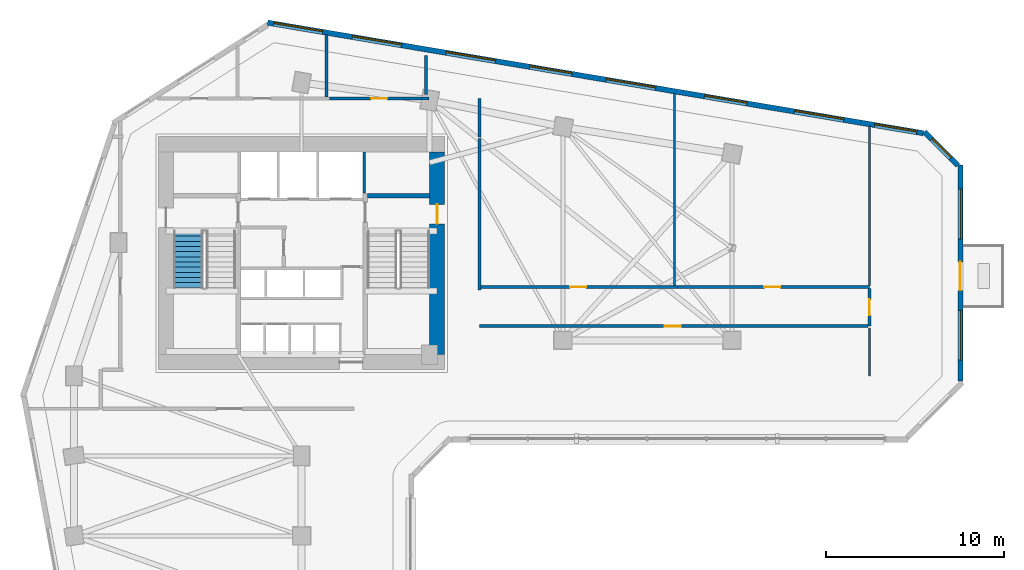
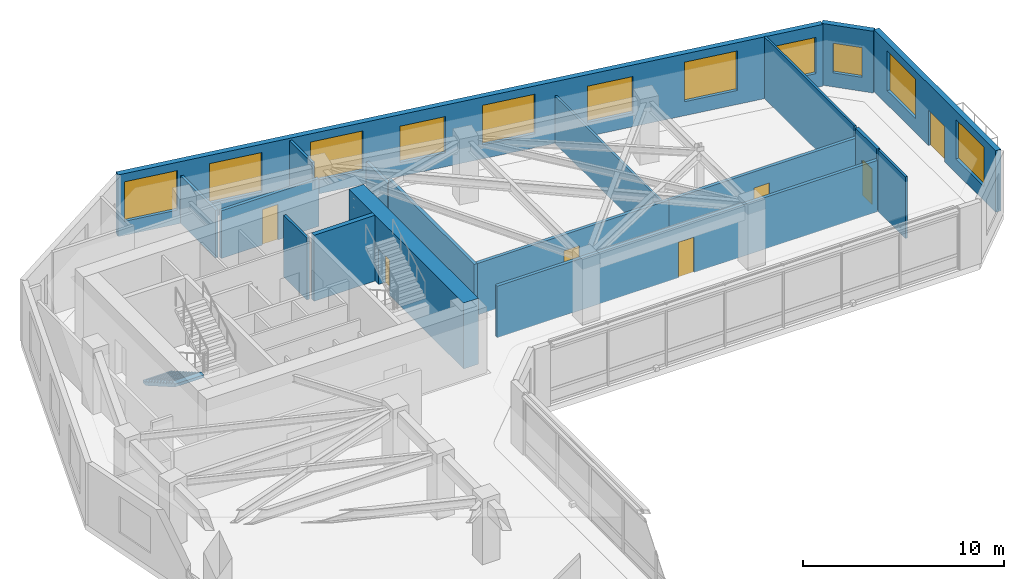
# One storey, part 7 of 11: 18 walls, 11 windows, 7 doors, 1 stair flight, 18 openings, 1 element without a shape of its own.
"""IFC4 building model written with IfcOpenShell, lengths in metres."""

from ifc_helpers import new_model, si_unit, direction, frame, frame_2d, origin, place, context, subcontext, project, spatial, polyline, rectangle, outline, extrude, source, transform, mapped, material, layer, layer_set, type_object, element, fill, aggregate, save


model = new_model("IFC4")

# Units and contexts
model_context = context("Model", 3, precision=1e-05, world=origin(), true_north=direction((0.0, 1.0)))
body_context = subcontext(model_context, "Body", "Model", "MODEL_VIEW")
ifc_project = project(units=[si_unit("LENGTHUNIT", "METRE"), si_unit("AREAUNIT", "SQUARE_METRE"), si_unit("VOLUMEUNIT", "CUBIC_METRE"), si_unit("PLANEANGLEUNIT", "RADIAN"), si_unit("MASSUNIT", "GRAM", prefix="KILO")], contexts=[model_context])

# Site, building, storey
site_placement = place(None, origin())
site = spatial("IfcSite", under=ifc_project, at=site_placement, CompositionType="ELEMENT")
building_placement = place(site_placement, origin())
building = spatial("IfcBuilding", under=site, at=building_placement, Name="Calvemar Wedge Station Tower", CompositionType="ELEMENT")
storey_placement = place(building_placement, frame((0.0, 0.0, 27.0)))
storey = spatial("IfcBuildingStorey", under=building, at=storey_placement, Name="L06", CompositionType="ELEMENT", Elevation=27.0)

# Wall
ifc_material_1 = material(Name="Concrete C50", Category="concrete")
ifc_layer_1 = layer(ifc_material_1, 0.260009765625)
ifc_layer_set_1 = layer_set([ifc_layer_1], Name="Concrete C50")
wall_type_1 = type_object("IfcWallType", Name="SW-CORE-260", PredefinedType="SHEAR", material=ifc_layer_set_1)
wall_1_placement = place(storey_placement, frame((27.5, 43.1298828125, 0.0), z_axis=(0.0, 0.0, 1.0), x_axis=(1.0, 0.0, 0.0)))
element("IfcWall", 1, at=wall_1_placement, inside=storey, type_object=wall_type_1, Name="Storey L06 Core Shear Wall STC2-N", PredefinedType="SHEAR", context=body_context, shape_type="SweptSolid", body=[
    extrude(rectangle(XDim=3.5, YDim=0.260009765625, at=frame_2d((1.75, 0.0))), origin(), (0.0, 0.0, 1.0), 4.0),
])

# Wall, opening, door
ifc_material_2 = material(Name="Concrete C80", Category="concrete")
ifc_layer_2 = layer(ifc_material_2, 0.85009765625)
ifc_layer_set_2 = layer_set([ifc_layer_2], Name="Concrete C80")
wall_type_2 = type_object("IfcWallType", Name="SW-CORE-850", PredefinedType="SHEAR", material=ifc_layer_set_2)
wall_2_placement = place(storey_placement, frame((31.425048828125, 34.199951171875, 0.0), z_axis=(0.0, 0.0, 1.0), x_axis=(0.0, 1.0, 0.0)))
wall_2 = element("IfcWall", 2, at=wall_2_placement, inside=storey, type_object=wall_type_2, Name="Storey L06 Core Shear Wall E", PredefinedType="SHEAR", context=body_context, shape_type="SweptSolid", body=[
    extrude(rectangle(XDim=11.400146484375, YDim=0.85009765625, at=frame_2d((5.7001953125, 0.0))), origin(), (0.0, 0.0, 1.0), 4.0),
])
shared_shape_1 = source(origin(), body_context, "Body", "SweptSolid", [
    extrude(rectangle(XDim=1.10009765625, YDim=2.14990234375, at=frame_2d((0.550048828125, 1.074951171875))), frame((0.0, 0.43505859375, 0.0), z_axis=(0.0, -1.0, 0.0), x_axis=(1.0, 0.0, 0.0)), (0.0, 0.0, 1.0), 0.8701171875),
])
opening_1_placement = place(wall_2_placement, frame((7.35009765625, 0.0, 0.0)))
opening_1 = element("IfcOpeningElement", 3, at=opening_1_placement, cuts=wall_2, Name="Opening FD-90", PredefinedType="OPENING", context=body_context, shape_type="MappedRepresentation", body=[
    mapped(shared_shape_1, transform((0.0, 0.0, 0.0), scale=1.0)),
])
ifc_material_3 = material(Name="Galvanized fire-rated steel door leaf P-90", Category="steel")
door_type_1 = type_object("IfcDoorType", Name="DR-FD90-1100", OperationType="NOTDEFINED", PredefinedType="DOOR", material=ifc_material_3)
shared_shape_2 = source(origin(), body_context, "Body", "SweptSolid", [
    extrude(rectangle(XDim=1.10009765625, YDim=2.14990234375, at=frame_2d((0.550048828125, 1.074951171875))), frame((0.0, 0.02490234375, 0.0), z_axis=(0.0, -1.0, 0.0), x_axis=(1.0, 0.0, 0.0)), (0.0, 0.0, 1.0), 0.050048828125),
])
door_1_placement = place(opening_1_placement, origin())
door_1 = element("IfcDoor", 4, at=door_1_placement, inside=storey, type_object=door_type_1, Name="L06 East Corridor to Exit Stair ST-C2 Door", OperationType="SINGLE_SWING_RIGHT", OverallHeight=2.14990234375, OverallWidth=1.10009765625, PredefinedType="DOOR", context=body_context, shape_type="MappedRepresentation", body=[
    mapped(shared_shape_2, transform((0.0, 0.0, 0.0), scale=1.0)),
])
fill(opening_1, door_1)

ifc_material_4 = material(Name="Double-stud fire-rated corridor partition")
ifc_layer_3 = layer(ifc_material_4, 0.179931640625)
ifc_layer_set_3 = layer_set([ifc_layer_3], Name="Double-stud fire-rated corridor partition")
wall_type_3 = type_object("IfcWallType", Name="W-CORR-180", PredefinedType="PARTITIONING", material=ifc_layer_set_3)
wall_3_placement = place(storey_placement, frame((25.362060546875, 48.60009765625, 0.0), z_axis=(0.0, 0.0, 1.0), x_axis=(1.0, 0.0, 0.0)))
wall_3 = element("IfcWall", 5, at=wall_3_placement, inside=storey, type_object=wall_type_3, Name="Storey L06 Interior Partition WL-L06-011", PredefinedType="PARTITIONING", context=body_context, shape_type="SweptSolid", body=[
    extrude(rectangle(XDim=5.597900390625, YDim=0.179931640625, at=frame_2d((2.798828125, 0.0))), origin(), (0.0, 0.0, 1.0), 2.89208984375),
])
shared_shape_3 = source(origin(), body_context, "Body", "SweptSolid", [
    extrude(rectangle(XDim=0.89990234375, YDim=2.14990234375, at=frame_2d((0.449951171875, 1.074951171875))), frame((0.0, 0.10009765625, 0.0), z_axis=(0.0, -1.0, 0.0), x_axis=(1.0, 0.0, 0.0)), (0.0, 0.0, 1.0), 0.199951171875),
])
opening_2_placement = place(wall_3_placement, frame((2.34912109375, 0.0, 0.0)))
opening_2 = element("IfcOpeningElement", 6, at=opening_2_placement, cuts=wall_3, Name="Opening D-01", PredefinedType="OPENING", context=body_context, shape_type="MappedRepresentation", body=[
    mapped(shared_shape_3, transform((0.0, 0.0, 0.0), scale=1.0)),
])
ifc_material_5 = material(Name="Architectural hardwood acoustic swing door", Category="wood")
door_type_2 = type_object("IfcDoorType", Name="DR-INT-900", OperationType="NOTDEFINED", PredefinedType="DOOR", material=ifc_material_5)
shared_shape_4 = source(origin(), body_context, "Body", "SweptSolid", [
    extrude(rectangle(XDim=0.89990234375, YDim=2.14990234375, at=frame_2d((0.449951171875, 1.074951171875))), frame((0.0, 0.02490234375, 0.0), z_axis=(0.0, -1.0, 0.0), x_axis=(1.0, 0.0, 0.0)), (0.0, 0.0, 1.0), 0.050048828125),
])
door_2_placement = place(opening_2_placement, origin())
door_2 = element("IfcDoor", 7, at=door_2_placement, inside=storey, type_object=door_type_2, Name="L06 Female Toilet Door", OperationType="SINGLE_SWING_RIGHT", OverallHeight=2.14990234375, OverallWidth=0.89990234375, PredefinedType="DOOR", context=body_context, shape_type="MappedRepresentation", body=[
    mapped(shared_shape_4, transform((0.0, 0.0, 0.0), scale=1.0)),
])
fill(opening_2, door_2)

# Walls
wall_4_placement = place(storey_placement, frame((33.800048828125, 48.60009765625, 0.0), z_axis=(0.0, 0.0, 1.0), x_axis=(0.0, -1.0, 0.0)))
element("IfcWall", 8, at=wall_4_placement, inside=storey, type_object=wall_type_3, Name="Storey L06 Interior Partition WL-L06-012", PredefinedType="PARTITIONING", context=body_context, shape_type="SweptSolid", body=[
    extrude(rectangle(XDim=2.150146484375, YDim=0.179931640625, at=frame_2d((1.0751953125, 0.0))), origin(), (0.0, 0.0, 1.0), 2.89208984375),
])
wall_5_placement = place(storey_placement, frame((33.800048828125, 46.35595703125, 0.0), z_axis=(0.0, 0.0, 1.0), x_axis=(0.0, -1.0, 0.0)))
element("IfcWall", 9, at=wall_5_placement, inside=storey, type_object=wall_type_3, Name="Storey L06 Interior Partition WL-L06-013", PredefinedType="PARTITIONING", context=body_context, shape_type="SweptSolid", body=[
    extrude(rectangle(XDim=8.515869140625, YDim=0.179931640625, at=frame_2d((4.2578125, 0.0))), origin(), (0.0, 0.0, 1.0), 3.18798828125),
])

# Wall, opening, door
wall_6_placement = place(storey_placement, frame((33.89404296875, 38.0, 0.0), z_axis=(0.0, 0.0, 1.0), x_axis=(1.0, 0.0, 0.0)))
wall_6 = element("IfcWall", 10, at=wall_6_placement, inside=storey, type_object=wall_type_3, Name="Storey L06 Interior Partition WL-L06-017", PredefinedType="PARTITIONING", context=body_context, shape_type="SweptSolid", body=[
    extrude(rectangle(XDim=11.032958984375, YDim=0.179931640625, at=frame_2d((5.5166015625, 0.0))), origin(), (0.0, 0.0, 1.0), 3.125),
])
opening_3_placement = place(wall_6_placement, frame((5.005859375, 0.0, 0.0)))
opening_3 = element("IfcOpeningElement", 11, at=opening_3_placement, cuts=wall_6, Name="Opening D-01", PredefinedType="OPENING", context=body_context, shape_type="MappedRepresentation", body=[
    mapped(shared_shape_3, transform((0.0, 0.0, 0.0), scale=1.0)),
])
door_3_placement = place(opening_3_placement, origin())
door_3 = element("IfcDoor", 12, at=door_3_placement, inside=storey, type_object=door_type_2, Name="L06 Co-Working Studio Door", OperationType="SINGLE_SWING_LEFT", OverallHeight=2.14990234375, OverallWidth=0.89990234375, PredefinedType="DOOR", context=body_context, shape_type="MappedRepresentation", body=[
    mapped(shared_shape_4, transform((0.0, 0.0, 0.0), scale=1.0)),
])
fill(opening_3, door_3)

wall_7_placement = place(storey_placement, frame((44.928955078125, 38.0, 0.0), z_axis=(0.0, 0.0, 1.0), x_axis=(1.0, 0.0, 0.0)))
wall_7 = element("IfcWall", 13, at=wall_7_placement, inside=storey, type_object=wall_type_3, Name="Storey L06 Interior Partition WL-L06-018", PredefinedType="PARTITIONING", context=body_context, shape_type="SweptSolid", body=[
    extrude(rectangle(XDim=10.80615234375, YDim=0.179931640625, at=frame_2d((5.403076171875, 0.0))), origin(), (0.0, 0.0, 1.0), 3.125),
])
opening_4_placement = place(wall_7_placement, frame((4.892333984375, 0.0, 0.0)))
opening_4 = element("IfcOpeningElement", 14, at=opening_4_placement, cuts=wall_7, Name="Opening D-01", PredefinedType="OPENING", context=body_context, shape_type="MappedRepresentation", body=[
    mapped(shared_shape_3, transform((0.0, 0.0, 0.0), scale=1.0)),
])
door_4_placement = place(opening_4_placement, origin())
door_4 = element("IfcDoor", 15, at=door_4_placement, inside=storey, type_object=door_type_2, Name="L06 Meeting Room Door", OperationType="SINGLE_SWING_RIGHT", OverallHeight=2.14990234375, OverallWidth=0.89990234375, PredefinedType="DOOR", context=body_context, shape_type="MappedRepresentation", body=[
    mapped(shared_shape_4, transform((0.0, 0.0, 0.0), scale=1.0)),
])
fill(opening_4, door_4)

wall_8_placement = place(storey_placement, frame((55.735107421875, 37.906005859375, 0.0), z_axis=(0.0, 0.0, 1.0), x_axis=(0.0, -1.0, 0.0)))
wall_8 = element("IfcWall", 16, at=wall_8_placement, inside=storey, type_object=wall_type_3, Name="Storey L06 Interior Partition WL-L06-019", PredefinedType="PARTITIONING", context=body_context, shape_type="SweptSolid", body=[
    extrude(rectangle(XDim=2.10595703125, YDim=0.179931640625, at=frame_2d((1.052978515625, 0.0))), origin(), (0.0, 0.0, 1.0), 3.75),
])
opening_5_placement = place(wall_8_placement, frame((0.60302734375, 0.0, 0.0)))
opening_5 = element("IfcOpeningElement", 17, at=opening_5_placement, cuts=wall_8, Name="Opening D-01", PredefinedType="OPENING", context=body_context, shape_type="MappedRepresentation", body=[
    mapped(shared_shape_3, transform((0.0, 0.0, 0.0), scale=1.0)),
])
door_5_placement = place(opening_5_placement, origin())
door_5 = element("IfcDoor", 18, at=door_5_placement, inside=storey, type_object=door_type_2, Name="L06 Briefing Lounge Door", OperationType="SINGLE_SWING_LEFT", OverallHeight=2.14990234375, OverallWidth=0.89990234375, PredefinedType="DOOR", context=body_context, shape_type="MappedRepresentation", body=[
    mapped(shared_shape_4, transform((0.0, 0.0, 0.0), scale=1.0)),
])
fill(opening_5, door_5)

wall_9_placement = place(storey_placement, frame((55.64111328125, 35.800048828125, 0.0), z_axis=(0.0, 0.0, 1.0), x_axis=(-1.0, 0.0, 0.0)))
wall_9 = element("IfcWall", 19, at=wall_9_placement, inside=storey, type_object=wall_type_3, Name="Storey L06 Interior Partition WL-L06-020", PredefinedType="PARTITIONING", context=body_context, shape_type="SweptSolid", body=[
    extrude(rectangle(XDim=21.841064453125, YDim=0.179931640625, at=frame_2d((10.92041015625, 0.0))), origin(), (0.0, 0.0, 1.0), 3.125),
])
opening_6_placement = place(wall_9_placement, frame((10.53076171875, 0.0, 0.0)))
opening_6 = element("IfcOpeningElement", 20, at=opening_6_placement, cuts=wall_9, Name="Opening D-01", PredefinedType="OPENING", context=body_context, shape_type="MappedRepresentation", body=[
    mapped(shared_shape_3, transform((0.0, 0.0, 0.0), scale=1.0)),
])
door_6_placement = place(opening_6_placement, origin())
door_6 = element("IfcDoor", 21, at=door_6_placement, inside=storey, type_object=door_type_2, Name="L06 Meeting Room Door", OperationType="SINGLE_SWING_RIGHT", OverallHeight=2.14990234375, OverallWidth=0.89990234375, PredefinedType="DOOR", context=body_context, shape_type="MappedRepresentation", body=[
    mapped(shared_shape_4, transform((0.0, 0.0, 0.0), scale=1.0)),
])
fill(opening_6, door_6)

# Wall, openings, windows, door
ifc_material_6 = material(Name="Precast concrete C45", Category="concrete")
ifc_layer_4 = layer(ifc_material_6, 0.300048828125)
ifc_layer_set_4 = layer_set([ifc_layer_4], Name="Precast concrete C45")
wall_type_4 = type_object("IfcWallType", Name="W-EXT-GFRC-300", PredefinedType="SOLIDWALL", material=ifc_layer_set_4)
wall_10_placement = place(storey_placement, frame((60.85009765625, 32.71728515625, 0.0), z_axis=(0.0, 0.0, 1.0), x_axis=(0.0, 1.0, 0.0)))
wall_10 = element("IfcWall", 22, at=wall_10_placement, inside=storey, type_object=wall_type_4, Name="Storey L06 Bronze GFRC Exterior Wall 8", PredefinedType="SOLIDWALL", context=body_context, shape_type="SweptSolid", body=[
    extrude(rectangle(XDim=12.130615234375, YDim=0.300048828125, at=frame_2d((6.0654296875, 0.0))), origin(), (0.0, 0.0, 1.0), 3.75),
])
shared_shape_5 = source(origin(), body_context, "Body", "SweptSolid", [
    extrude(rectangle(XDim=1.60009765625, YDim=2.14990234375, at=frame_2d((0.800048828125, 1.074951171875))), frame((0.0, 0.16015625, 0.0), z_axis=(0.0, -1.0, 0.0), x_axis=(1.0, 0.0, 0.0)), (0.0, 0.0, 1.0), 0.320068359375),
])
opening_7_placement = place(wall_10_placement, frame((5.093017578125, 0.0, 0.0)))
opening_7 = element("IfcOpeningElement", 23, at=opening_7_placement, cuts=wall_10, Name="Opening DT1", PredefinedType="OPENING", context=body_context, shape_type="MappedRepresentation", body=[
    mapped(shared_shape_5, transform((0.0, 0.0, 0.0), scale=1.0)),
])
shared_shape_6 = source(origin(), body_context, "Body", "SweptSolid", [
    extrude(rectangle(XDim=2.800048828125, YDim=2.39990234375, at=frame_2d((1.39990234375, 1.199951171875))), frame((0.0, 0.16015625, 0.0), z_axis=(0.0, -1.0, 0.0), x_axis=(1.0, 0.0, 0.0)), (0.0, 0.0, 1.0), 0.320068359375),
])
opening_8_placement = place(wall_10_placement, frame((1.1669921875, 0.0, 0.85009765625)))
opening_8 = element("IfcOpeningElement", 24, at=opening_8_placement, cuts=wall_10, Name="Opening W6", PredefinedType="OPENING", context=body_context, shape_type="MappedRepresentation", body=[
    mapped(shared_shape_6, transform((0.0, 0.0, 0.0), scale=1.0)),
])
opening_9_placement = place(wall_10_placement, frame((7.991943359375, 0.0, 0.85009765625)))
opening_9 = element("IfcOpeningElement", 25, at=opening_9_placement, cuts=wall_10, Name="Opening W6", PredefinedType="OPENING", context=body_context, shape_type="MappedRepresentation", body=[
    mapped(shared_shape_6, transform((0.0, 0.0, 0.0), scale=1.0)),
])
ifc_material_7 = material(Name="Low-E laminated insulated glass", Category="glass")
window_type_1 = type_object("IfcWindowType", Name="WIN-EXT-6", PartitioningType="SINGLE_PANEL", PredefinedType="WINDOW", material=ifc_material_7)
shared_shape_7 = source(origin(), body_context, "Body", "SweptSolid", [
    extrude(rectangle(XDim=2.800048828125, YDim=2.39990234375, at=frame_2d((1.39990234375, 1.199951171875))), frame((0.0, -0.014892578125, 0.0), z_axis=(0.0, -1.0, 0.0), x_axis=(1.0, 0.0, 0.0)), (0.0, 0.0, 1.0), 0.06005859375),
])
window_1_placement = place(opening_8_placement, origin())
window_1 = element("IfcWindow", 26, at=window_1_placement, inside=storey, type_object=window_type_1, Name="Storey L06 Recessed Window 8.1", OverallHeight=2.39990234375, OverallWidth=2.800048828125, PartitioningType="SINGLE_PANEL", PredefinedType="WINDOW", context=body_context, shape_type="MappedRepresentation", body=[
    mapped(shared_shape_7, transform((0.0, 0.0, 0.0), scale=1.0)),
])
fill(opening_8, window_1)
window_2_placement = place(opening_9_placement, origin())
window_2 = element("IfcWindow", 27, at=window_2_placement, inside=storey, type_object=window_type_1, Name="Storey L06 Recessed Window 8.2", OverallHeight=2.39990234375, OverallWidth=2.800048828125, PartitioningType="SINGLE_PANEL", PredefinedType="WINDOW", context=body_context, shape_type="MappedRepresentation", body=[
    mapped(shared_shape_7, transform((0.0, 0.0, 0.0), scale=1.0)),
])
fill(opening_9, window_2)
ifc_material_8 = material(Name="Anodised aluminium 6063-T6", Category="aluminium")
door_type_3 = type_object("IfcDoorType", Name="DR-TERR-1600", OperationType="DOUBLE_DOOR_SLIDING", PredefinedType="DOOR", material=ifc_material_8)
shared_shape_8 = source(origin(), body_context, "Body", "SweptSolid", [
    extrude(rectangle(XDim=1.60009765625, YDim=2.14990234375, at=frame_2d((0.800048828125, 1.074951171875))), frame((0.0, 0.02490234375, 0.0), z_axis=(0.0, -1.0, 0.0), x_axis=(1.0, 0.0, 0.0)), (0.0, 0.0, 1.0), 0.050048828125),
])
door_7_placement = place(opening_7_placement, origin())
door_7 = element("IfcDoor", 28, at=door_7_placement, inside=storey, type_object=door_type_3, Name="Storey L06 Spiral Terrace Door", OperationType="DOUBLE_DOOR_SLIDING", OverallHeight=2.14990234375, OverallWidth=1.60009765625, PredefinedType="DOOR", context=body_context, shape_type="MappedRepresentation", body=[
    mapped(shared_shape_8, transform((0.0, 0.0, 0.0), scale=1.0)),
])
fill(opening_7, door_7)

# Wall, opening, window
wall_11_placement = place(storey_placement, frame((60.7119140625, 44.8359375, 0.0), z_axis=(0.0, 0.0, 1.0), x_axis=(-0.707106781187, 0.707106781187, 0.0)))
wall_11 = element("IfcWall", 29, at=wall_11_placement, inside=storey, type_object=wall_type_4, Name="Storey L06 Bronze GFRC Exterior Wall 9", PredefinedType="SOLIDWALL", context=body_context, shape_type="SweptSolid", body=[
    extrude(rectangle(XDim=2.673095703125, YDim=0.300048828125, at=frame_2d((1.33642578125, 0.0))), origin(), (0.0, 0.0, 1.0), 3.75),
])
shared_shape_9 = source(origin(), body_context, "Body", "SweptSolid", [
    extrude(rectangle(XDim=1.5, YDim=1.800048828125, at=frame_2d((0.75, 0.89990234375))), frame((0.0, 0.16015625, 0.0), z_axis=(0.0, -1.0, 0.0), x_axis=(1.0, 0.0, 0.0)), (0.0, 0.0, 1.0), 0.320068359375),
])
opening_10_placement = place(wall_11_placement, frame((0.5869140625, 0.0, 0.85009765625)))
opening_10 = element("IfcOpeningElement", 30, at=opening_10_placement, cuts=wall_11, Name="Opening W3", PredefinedType="OPENING", context=body_context, shape_type="MappedRepresentation", body=[
    mapped(shared_shape_9, transform((0.0, 0.0, 0.0), scale=1.0)),
])
window_type_2 = type_object("IfcWindowType", Name="WIN-EXT-3", PartitioningType="SINGLE_PANEL", PredefinedType="WINDOW", material=ifc_material_7)
shared_shape_10 = source(origin(), body_context, "Body", "SweptSolid", [
    extrude(rectangle(XDim=1.5, YDim=1.800048828125, at=frame_2d((0.75, 0.89990234375))), frame((0.0, -0.014892578125, 0.0), z_axis=(0.0, -1.0, 0.0), x_axis=(1.0, 0.0, 0.0)), (0.0, 0.0, 1.0), 0.06005859375),
])
window_3_placement = place(opening_10_placement, origin())
window_3 = element("IfcWindow", 31, at=window_3_placement, inside=storey, type_object=window_type_2, Name="Storey L06 Recessed Window 9.1", OverallHeight=1.800048828125, OverallWidth=1.5, PartitioningType="SINGLE_PANEL", PredefinedType="WINDOW", context=body_context, shape_type="MappedRepresentation", body=[
    mapped(shared_shape_10, transform((0.0, 0.0, 0.0), scale=1.0)),
])
fill(opening_10, window_3)

# Wall, openings, windows
wall_12_placement = place(storey_placement, frame((58.7607421875, 46.648193359375, 0.0), z_axis=(0.0, 0.0, 1.0), x_axis=(-0.98607502735, 0.166301053624, 0.0)))
wall_12 = element("IfcWall", 32, at=wall_12_placement, inside=storey, type_object=wall_type_4, Name="Storey L06 Bronze GFRC Exterior Wall 10", PredefinedType="SOLIDWALL", context=body_context, shape_type="SweptSolid", body=[
    extrude(rectangle(XDim=37.3974609375, YDim=0.300048828125, at=frame_2d((18.69873046875, 0.0))), origin(), (0.0, 0.0, 1.0), 3.75),
])
shared_shape_11 = source(origin(), body_context, "Body", "SweptSolid", [
    extrude(rectangle(XDim=2.39990234375, YDim=2.199951171875, at=frame_2d((1.199951171875, 1.10009765625))), frame((0.0, 0.16015625, 0.0), z_axis=(0.0, -1.0, 0.0), x_axis=(1.0, 0.0, 0.0)), (0.0, 0.0, 1.0), 0.320068359375),
])
opening_11_placement = place(wall_12_placement, frame((0.375, 0.0, 0.85009765625)))
opening_11 = element("IfcOpeningElement", 33, at=opening_11_placement, cuts=wall_12, Name="Opening W1", PredefinedType="OPENING", context=body_context, shape_type="MappedRepresentation", body=[
    mapped(shared_shape_11, transform((0.0, 0.0, 0.0), scale=1.0)),
])
opening_12_placement = place(wall_12_placement, frame((4.5400390625, 0.0, 0.85009765625)))
opening_12 = element("IfcOpeningElement", 34, at=opening_12_placement, cuts=wall_12, Name="Opening W6", PredefinedType="OPENING", context=body_context, shape_type="MappedRepresentation", body=[
    mapped(shared_shape_6, transform((0.0, 0.0, 0.0), scale=1.0)),
])
opening_13_placement = place(wall_12_placement, frame((10.0810546875, 0.0, 0.85009765625)))
opening_13 = element("IfcOpeningElement", 35, at=opening_13_placement, cuts=wall_12, Name="Opening W1", PredefinedType="OPENING", context=body_context, shape_type="MappedRepresentation", body=[
    mapped(shared_shape_11, transform((0.0, 0.0, 0.0), scale=1.0)),
])
opening_14_placement = place(wall_12_placement, frame((15.27294921875, 0.0, 0.85009765625)))
opening_14 = element("IfcOpeningElement", 36, at=opening_14_placement, cuts=wall_12, Name="Opening W6", PredefinedType="OPENING", context=body_context, shape_type="MappedRepresentation", body=[
    mapped(shared_shape_6, transform((0.0, 0.0, 0.0), scale=1.0)),
])
opening_15_placement = place(wall_12_placement, frame((20.035888671875, 0.0, 0.85009765625)))
opening_15 = element("IfcOpeningElement", 37, at=opening_15_placement, cuts=wall_12, Name="Opening W1", PredefinedType="OPENING", context=body_context, shape_type="MappedRepresentation", body=[
    mapped(shared_shape_11, transform((0.0, 0.0, 0.0), scale=1.0)),
])
opening_16_placement = place(wall_12_placement, frame((24.39794921875, 0.0, 0.85009765625)))
opening_16 = element("IfcOpeningElement", 38, at=opening_16_placement, cuts=wall_12, Name="Opening W6", PredefinedType="OPENING", context=body_context, shape_type="MappedRepresentation", body=[
    mapped(shared_shape_6, transform((0.0, 0.0, 0.0), scale=1.0)),
])
opening_17_placement = place(wall_12_placement, frame((29.757080078125, 0.0, 0.85009765625)))
opening_17 = element("IfcOpeningElement", 39, at=opening_17_placement, cuts=wall_12, Name="Opening W6", PredefinedType="OPENING", context=body_context, shape_type="MappedRepresentation", body=[
    mapped(shared_shape_6, transform((0.0, 0.0, 0.0), scale=1.0)),
])
opening_18_placement = place(wall_12_placement, frame((34.256103515625, 0.0, 0.85009765625)))
opening_18 = element("IfcOpeningElement", 40, at=opening_18_placement, cuts=wall_12, Name="Opening W6", PredefinedType="OPENING", context=body_context, shape_type="MappedRepresentation", body=[
    mapped(shared_shape_6, transform((0.0, 0.0, 0.0), scale=1.0)),
])
window_4_placement = place(opening_12_placement, origin())
window_4 = element("IfcWindow", 41, at=window_4_placement, inside=storey, type_object=window_type_1, Name="Storey L06 Recessed Window 10.2", OverallHeight=2.39990234375, OverallWidth=2.800048828125, PartitioningType="SINGLE_PANEL", PredefinedType="WINDOW", context=body_context, shape_type="MappedRepresentation", body=[
    mapped(shared_shape_7, transform((0.0, 0.0, 0.0), scale=1.0)),
])
fill(opening_12, window_4)
window_5_placement = place(opening_14_placement, origin())
window_5 = element("IfcWindow", 42, at=window_5_placement, inside=storey, type_object=window_type_1, Name="Storey L06 Recessed Window 10.4", OverallHeight=2.39990234375, OverallWidth=2.800048828125, PartitioningType="SINGLE_PANEL", PredefinedType="WINDOW", context=body_context, shape_type="MappedRepresentation", body=[
    mapped(shared_shape_7, transform((0.0, 0.0, 0.0), scale=1.0)),
])
fill(opening_14, window_5)
window_6_placement = place(opening_16_placement, origin())
window_6 = element("IfcWindow", 43, at=window_6_placement, inside=storey, type_object=window_type_1, Name="Storey L06 Recessed Window 10.6", OverallHeight=2.39990234375, OverallWidth=2.800048828125, PartitioningType="SINGLE_PANEL", PredefinedType="WINDOW", context=body_context, shape_type="MappedRepresentation", body=[
    mapped(shared_shape_7, transform((0.0, 0.0, 0.0), scale=1.0)),
])
fill(opening_16, window_6)
window_7_placement = place(opening_17_placement, origin())
window_7 = element("IfcWindow", 44, at=window_7_placement, inside=storey, type_object=window_type_1, Name="Storey L06 Recessed Window 10.7", OverallHeight=2.39990234375, OverallWidth=2.800048828125, PartitioningType="SINGLE_PANEL", PredefinedType="WINDOW", context=body_context, shape_type="MappedRepresentation", body=[
    mapped(shared_shape_7, transform((0.0, 0.0, 0.0), scale=1.0)),
])
fill(opening_17, window_7)
window_8_placement = place(opening_18_placement, origin())
window_8 = element("IfcWindow", 45, at=window_8_placement, inside=storey, type_object=window_type_1, Name="Storey L06 Recessed Window 10.8", OverallHeight=2.39990234375, OverallWidth=2.800048828125, PartitioningType="SINGLE_PANEL", PredefinedType="WINDOW", context=body_context, shape_type="MappedRepresentation", body=[
    mapped(shared_shape_7, transform((0.0, 0.0, 0.0), scale=1.0)),
])
fill(opening_18, window_8)
window_type_3 = type_object("IfcWindowType", Name="WIN-EXT-1", PartitioningType="SINGLE_PANEL", PredefinedType="WINDOW", material=ifc_material_7)
shared_shape_12 = source(origin(), body_context, "Body", "SweptSolid", [
    extrude(rectangle(XDim=2.39990234375, YDim=2.199951171875, at=frame_2d((1.199951171875, 1.10009765625))), frame((0.0, -0.014892578125, 0.0), z_axis=(0.0, -1.0, 0.0), x_axis=(1.0, 0.0, 0.0)), (0.0, 0.0, 1.0), 0.06005859375),
])
window_9_placement = place(opening_11_placement, origin())
window_9 = element("IfcWindow", 46, at=window_9_placement, inside=storey, type_object=window_type_3, Name="Storey L06 Recessed Window 10.1", OverallHeight=2.199951171875, OverallWidth=2.39990234375, PartitioningType="SINGLE_PANEL", PredefinedType="WINDOW", context=body_context, shape_type="MappedRepresentation", body=[
    mapped(shared_shape_12, transform((0.0, 0.0, 0.0), scale=1.0)),
])
fill(opening_11, window_9)
window_10_placement = place(opening_13_placement, origin())
window_10 = element("IfcWindow", 47, at=window_10_placement, inside=storey, type_object=window_type_3, Name="Storey L06 Recessed Window 10.3", OverallHeight=2.199951171875, OverallWidth=2.39990234375, PartitioningType="SINGLE_PANEL", PredefinedType="WINDOW", context=body_context, shape_type="MappedRepresentation", body=[
    mapped(shared_shape_12, transform((0.0, 0.0, 0.0), scale=1.0)),
])
fill(opening_13, window_10)
window_11_placement = place(opening_15_placement, origin())
window_11 = element("IfcWindow", 48, at=window_11_placement, inside=storey, type_object=window_type_3, Name="Storey L06 Recessed Window 10.5", OverallHeight=2.199951171875, OverallWidth=2.39990234375, PartitioningType="SINGLE_PANEL", PredefinedType="WINDOW", context=body_context, shape_type="MappedRepresentation", body=[
    mapped(shared_shape_12, transform((0.0, 0.0, 0.0), scale=1.0)),
])
fill(opening_15, window_11)

# Walls
ifc_material_9 = material(Name="Reinforced concrete blockwork lift shaft wall", Category="masonry")
ifc_layer_5 = layer(ifc_material_9, 0.139892578125)
ifc_layer_set_5 = layer_set([ifc_layer_5], Name="Reinforced concrete blockwork lift shaft wall")
wall_type_5 = type_object("IfcWallType", Name="W-LIFT-160", PredefinedType="SOLIDWALL", material=ifc_layer_set_5)
wall_13_placement = place(storey_placement, frame((27.31005859375, 43.280029296875, 0.0), z_axis=(0.0, 0.0, 1.0), x_axis=(0.0, 1.0, 0.0)))
element("IfcWall", 49, at=wall_13_placement, inside=storey, type_object=wall_type_5, Name="Storey L06 Firefighting Lift Shaft Enclosure Wall E", PredefinedType="SOLIDWALL", context=body_context, shape_type="SweptSolid", body=[
    extrude(rectangle(XDim=2.300048828125, YDim=0.139892578125, at=frame_2d((1.14990234375, 0.0))), origin(), (0.0, 0.0, 1.0), 3.75),
])
ifc_material_10 = material(Name="Insulated acoustic gypsum stud partition")
ifc_layer_6 = layer(ifc_material_10, 0.125)
ifc_layer_set_6 = layer_set([ifc_layer_6], Name="Insulated acoustic gypsum stud partition")
wall_type_6 = type_object("IfcWallType", Name="W-PART-125", PredefinedType="PARTITIONING", material=ifc_layer_set_6)
wall_14_placement = place(storey_placement, frame((44.76708984375, 48.8916015625, 0.0), z_axis=(0.0, 0.0, 1.0), x_axis=(0.0, -1.0, 0.0)))
element("IfcWall", 50, at=wall_14_placement, inside=storey, type_object=wall_type_6, Name="Storey L06 Interior Partition WL-L06-021", PredefinedType="PARTITIONING", context=body_context, shape_type="SweptSolid", body=[
    extrude(rectangle(XDim=10.797607421875, YDim=0.125, at=frame_2d((5.39892578125, 0.0))), origin(), (0.0, 0.0, 1.0), 2.89208984375),
])
wall_15_placement = place(storey_placement, frame((55.735107421875, 47.0419921875, 0.0), z_axis=(0.0, 0.0, 1.0), x_axis=(0.0, -1.0, 0.0)))
element("IfcWall", 51, at=wall_15_placement, inside=storey, type_object=wall_type_6, Name="Storey L06 Interior Partition WL-L06-022", PredefinedType="PARTITIONING", context=body_context, shape_type="SweptSolid", body=[
    extrude(rectangle(XDim=8.947998046875, YDim=0.125, at=frame_2d((4.47412109375, 0.0))), origin(), (0.0, 0.0, 1.0), 3.75),
])
wall_16_placement = place(storey_placement, frame((55.735107421875, 33.0, 0.0), z_axis=(0.0, 0.0, 1.0), x_axis=(0.0, 1.0, 0.0)))
element("IfcWall", 52, at=wall_16_placement, inside=storey, type_object=wall_type_6, Name="Storey L06 Interior Partition WL-L06-023", PredefinedType="PARTITIONING", context=body_context, shape_type="SweptSolid", body=[
    extrude(rectangle(XDim=2.7060546875, YDim=0.125, at=frame_2d((1.35302734375, 0.0))), origin(), (0.0, 0.0, 1.0), 3.75),
])
ifc_material_11 = material(Name="Moisture-resistant acoustic bathroom partition")
ifc_layer_7 = layer(ifc_material_11, 0.14990234375)
ifc_layer_set_7 = layer_set([ifc_layer_7], Name="Moisture-resistant acoustic bathroom partition")
wall_type_7 = type_object("IfcWallType", Name="W-WET-150", PredefinedType="PARTITIONING", material=ifc_layer_set_7)
wall_17_placement = place(storey_placement, frame((25.199951171875, 52.191650390625, 0.0), z_axis=(0.0, 0.0, 1.0), x_axis=(0.0, -1.0, 0.0)))
element("IfcWall", 53, at=wall_17_placement, inside=storey, type_object=wall_type_7, Name="Storey L06 Interior Partition WL-L06-016", PredefinedType="PARTITIONING", context=body_context, shape_type="SweptSolid", body=[
    extrude(rectangle(XDim=3.49755859375, YDim=0.14990234375, at=frame_2d((1.748779296875, 0.0))), origin(), (0.0, 0.0, 1.0), 2.89208984375),
])
wall_18_placement = place(storey_placement, frame((30.800048828125, 51.02392578125, 0.0), z_axis=(0.0, 0.0, 1.0), x_axis=(0.0, -1.0, 0.0)))
element("IfcWall", 54, at=wall_18_placement, inside=storey, type_object=wall_type_7, Name="Storey L06 Bathroom Enclosure Wall WL-L06-027", PredefinedType="PARTITIONING", context=body_context, shape_type="SweptSolid", body=[
    extrude(rectangle(XDim=2.203857421875, YDim=0.14990234375, at=frame_2d((1.10205078125, 0.0))), origin(), (0.0, 0.0, 1.0), 3.75),
])

# Stair, stair flight
ifc_material_12 = material(Name="Concrete C45", Category="concrete")
stair_type = type_object("IfcStairType", Name="ST-TYPE-4000", PredefinedType="HALF_TURN_STAIR", material=ifc_material_12)
stair_placement = place(storey_placement, origin())
stair = element("IfcStair", 55, at=stair_placement, inside=storey, type_object=stair_type, Name="L06 Pressurized Core Exit Stair ST-C1", PredefinedType="HALF_TURN_STAIR")
stair_flight_type = type_object("IfcStairFlightType", Name="STF-TYPE-4000", PredefinedType="STRAIGHT", material=ifc_material_12)
stair_flight_placement = place(storey_placement, frame((17.429931640625, 41.14990234375, 0.0), z_axis=(0.0, 0.0, 1.0), x_axis=(0.0, -1.0, 0.0)))
stair_flight = element("IfcStairFlight", 56, at=stair_flight_placement, type_object=stair_flight_type, Name="ST-C1 flight 1", NumberOfRisers=12, NumberOfTreads=11, PredefinedType="STRAIGHT", RiserHeight=0.166666667, TreadLength=0.29, context=body_context, shape_type="SweptSolid", body=[
    extrude(outline(polyline([(0.0, 0.0), (0.0, 0.166748046875), (0.2900390625, 0.166748046875), (0.2900390625, 0.333251953125), (0.580078125, 0.333251953125), (0.580078125, 0.5), (0.8701171875, 0.5), (0.8701171875, 0.666748046875), (1.159912109375, 0.666748046875), (1.159912109375, 0.833251953125), (1.449951171875, 0.833251953125), (1.449951171875, 1.0), (1.739990234375, 1.0), (1.739990234375, 1.166748046875), (2.030029296875, 1.166748046875), (2.030029296875, 1.333251953125), (2.320068359375, 1.333251953125), (2.320068359375, 1.5), (2.610107421875, 1.5), (2.610107421875, 1.666748046875), (2.89990234375, 1.666748046875), (2.89990234375, 1.833251953125), (3.18994140625, 1.833251953125), (3.18994140625, 2.0), (3.18994140625, 1.660400390625), (0.30078125, 0.0), (0.0, 0.0)])), frame((0.0, 0.830078125, 0.0), z_axis=(0.0, -1.0, 0.0), x_axis=(1.0, 0.0, 0.0)), (0.0, 0.0, 1.0), 1.659912109375),
])
aggregate(stair, [stair_flight])

save(model, "model.ifc")
